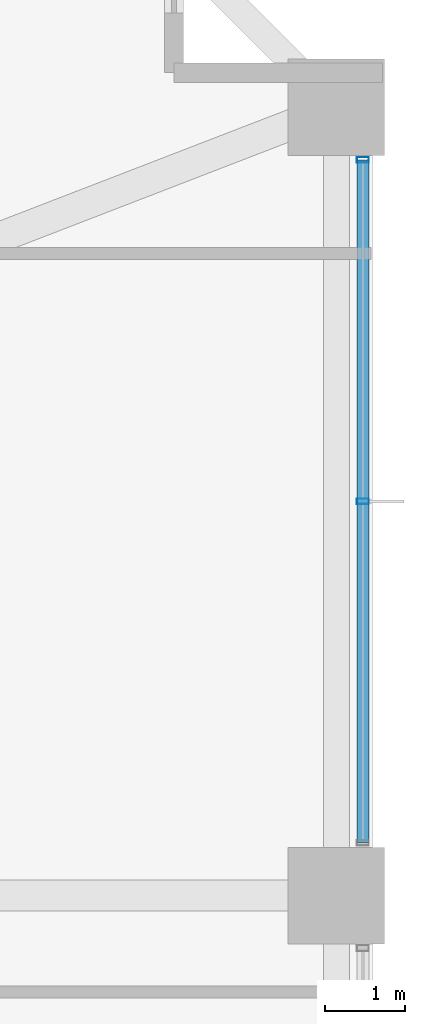
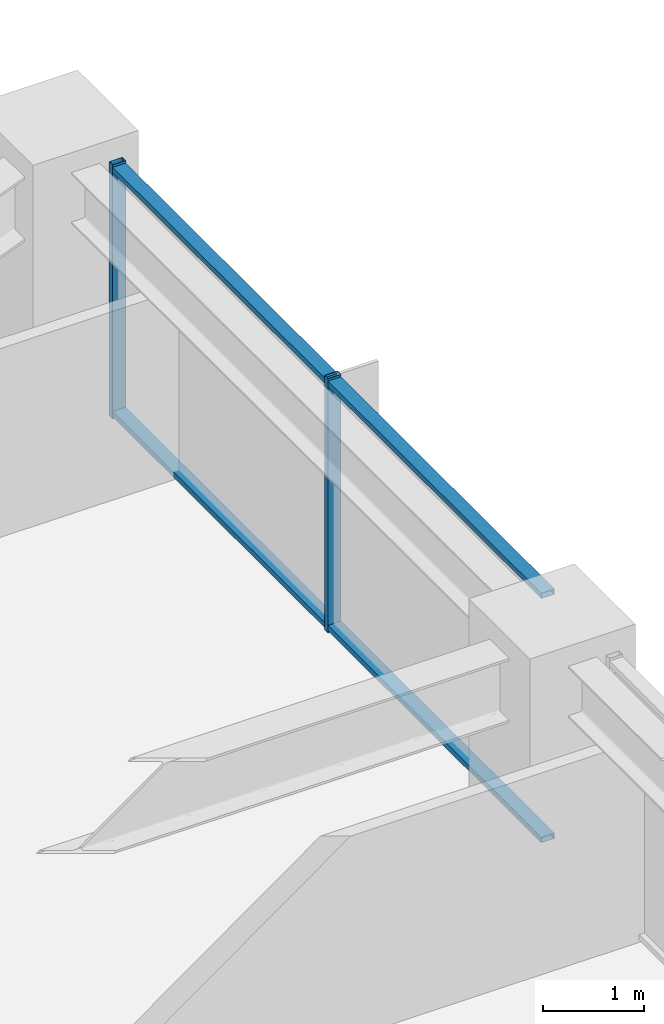
# One storey, part 24 of 38: 4 members, 1 element without a shape of its own.
"""IFC4 building model written with IfcOpenShell, lengths in metres."""

from ifc_helpers import new_model, si_unit, direction, frame, origin, origin_2d, place, context, subcontext, project, spatial, hollow_rectangle, extrude, material, material_profile, profile_set, type_object, element, aggregate, save


model = new_model("IFC4")

# Units and contexts
model_context = context("Model", 3, precision=1e-05, world=origin(), true_north=direction((0.0, 1.0)))
body_context = subcontext(model_context, "Body", "Model", "MODEL_VIEW")
ifc_project = project(units=[si_unit("LENGTHUNIT", "METRE"), si_unit("AREAUNIT", "SQUARE_METRE"), si_unit("VOLUMEUNIT", "CUBIC_METRE"), si_unit("PLANEANGLEUNIT", "RADIAN"), si_unit("MASSUNIT", "GRAM", prefix="KILO")], contexts=[model_context])

# Site, building, storey
site_placement = place(None, origin())
site = spatial("IfcSite", under=ifc_project, at=site_placement, CompositionType="ELEMENT")
building_placement = place(site_placement, origin())
building = spatial("IfcBuilding", under=site, at=building_placement, Name="Kolvaren Belvedere", CompositionType="ELEMENT")
storey_placement = place(building_placement, frame((0.0, 0.0, 27.10009765625)))
storey = spatial("IfcBuildingStorey", under=building, at=storey_placement, Name="L07", CompositionType="ELEMENT", Elevation=27.10009765625)

# Curtain wall, members
ifc_material_1 = material(Name="Anodised pale-metal aluminium AA 6063-T6", Category="aluminium")
curtain_wall_type = type_object("IfcCurtainWallType", Name="CW-Z1-LOW", PredefinedType="NOTDEFINED", material=ifc_material_1)
curtain_wall_placement = place(storey_placement, origin())
curtain_wall = element("IfcCurtainWall", 1, at=curtain_wall_placement, inside=storey, type_object=curtain_wall_type, Name="L07 Unitised Curtain Wall FCW-L07-E-B1", PredefinedType="NOTDEFINED")
ifc_material_2 = material(Name="Anodised pale-metal aluminium AA 6063-T6", Category="aluminium")
ifc_material_profile_1 = material_profile(ifc_material_2, hollow_rectangle(XDim=0.070068359375, YDim=0.14990234375, WallThickness=0.004150390625, at=origin_2d()), Name="ALU-MUL-150X70")
ifc_profile_set_1 = profile_set([ifc_material_profile_1], Name="Anodised pale-metal aluminium AA 6063-T6")
member_type_1 = type_object("IfcMemberType", Name="CW-MUL-150", PredefinedType="MULLION", material=ifc_profile_set_1)
member_1_placement = place(storey_placement, frame((21.8798828125, 13.7451171875, 0.0), z_axis=(0.0, 0.0, 1.0), x_axis=(0.0, 1.0, 0.0)))
member_1 = element("IfcMember", 2, at=member_1_placement, type_object=member_type_1, Name="FCW-L07-E-B1 Unitised Mullion 1", PredefinedType="MULLION", context=body_context, shape_type="SweptSolid", body=[
    extrude(hollow_rectangle(XDim=0.070068359375, YDim=0.14990234375, WallThickness=0.004150390625, at=origin_2d()), origin(), (0.0, 0.0, 1.0), 3.059814453125),
])
member_2_placement = place(storey_placement, frame((21.8798828125, 9.5, 0.0), z_axis=(0.0, 0.0, 1.0), x_axis=(0.0, 1.0, 0.0)))
member_2 = element("IfcMember", 3, at=member_2_placement, type_object=member_type_1, Name="FCW-L07-E-B1 Unitised Mullion 2", PredefinedType="MULLION", context=body_context, shape_type="SweptSolid", body=[
    extrude(hollow_rectangle(XDim=0.070068359375, YDim=0.14990234375, WallThickness=0.004150390625, at=origin_2d()), origin(), (0.0, 0.0, 1.0), 3.059814453125),
])
ifc_material_3 = material(Name="Anodised pale-metal aluminium AA 6063-T6", Category="aluminium")
ifc_material_profile_2 = material_profile(ifc_material_3, hollow_rectangle(XDim=0.06494140625, YDim=0.14990234375, WallThickness=0.00390625, at=origin_2d()), Name="ALU-TRN-150X65")
ifc_profile_set_2 = profile_set([ifc_material_profile_2], Name="Anodised pale-metal aluminium AA 6063-T6")
member_type_2 = type_object("IfcMemberType", Name="CW-TRN-150", PredefinedType="USERDEFINED", material=ifc_profile_set_2)
member_3_placement = place(storey_placement, frame((21.8798828125, 13.7451171875, 0.059814453125), z_axis=(0.0, -1.0, 0.0), x_axis=(0.0, 0.0, 1.0)))
member_3 = element("IfcMember", 4, at=member_3_placement, type_object=member_type_2, Name="FCW-L07-E-B1 Sill Transom", ObjectType="TRANSOM", PredefinedType="USERDEFINED", context=body_context, shape_type="SweptSolid", body=[
    extrude(hollow_rectangle(XDim=0.06494140625, YDim=0.14990234375, WallThickness=0.00390625, at=origin_2d()), origin(), (0.0, 0.0, 1.0), 8.490234375),
])
member_4_placement = place(storey_placement, frame((21.8798828125, 13.7451171875, 3.0), z_axis=(0.0, -1.0, 0.0), x_axis=(0.0, 0.0, 1.0)))
member_4 = element("IfcMember", 5, at=member_4_placement, type_object=member_type_2, Name="FCW-L07-E-B1 Head Transom", ObjectType="TRANSOM", PredefinedType="USERDEFINED", context=body_context, shape_type="SweptSolid", body=[
    extrude(hollow_rectangle(XDim=0.06494140625, YDim=0.14990234375, WallThickness=0.00390625, at=origin_2d()), origin(), (0.0, 0.0, 1.0), 8.490234375),
])
aggregate(curtain_wall, [member_1, member_2, member_3, member_4])

save(model, "model.ifc")
